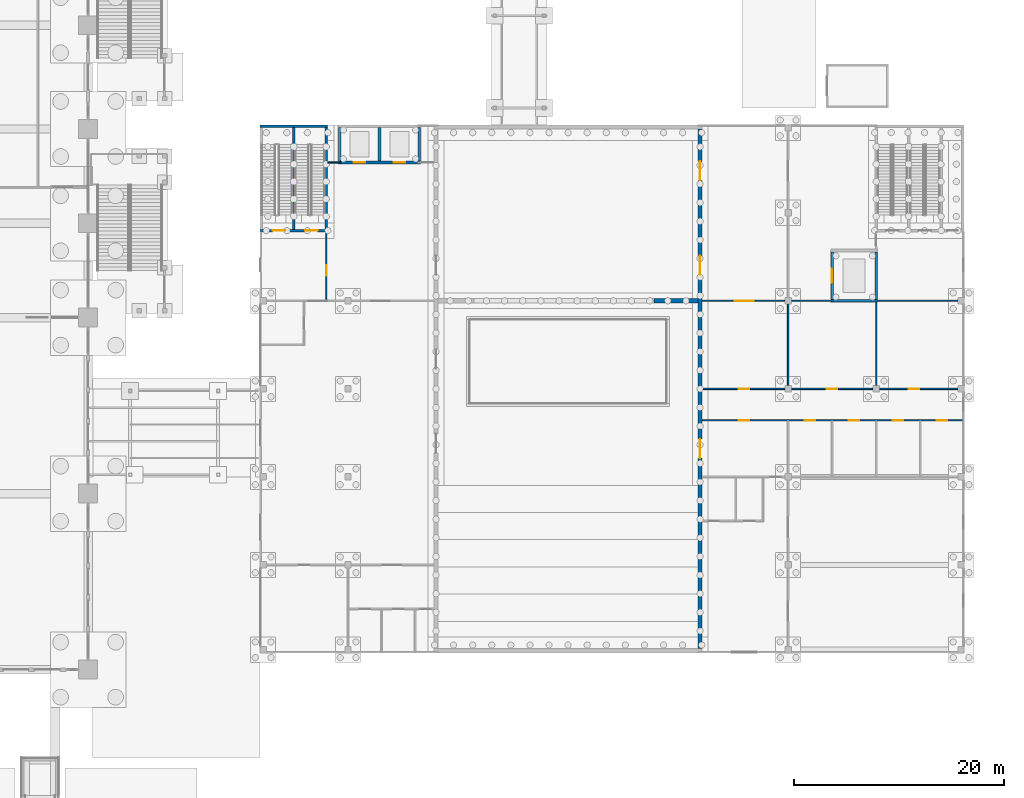
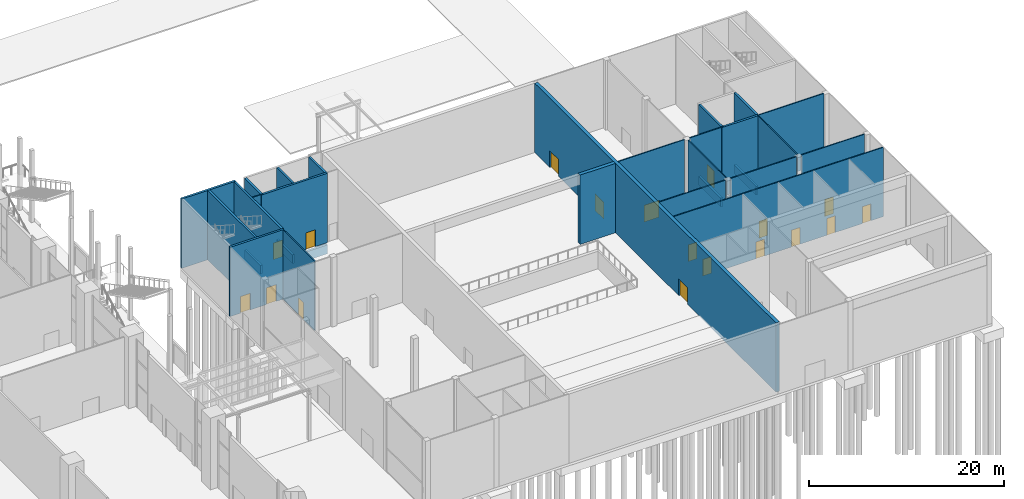
# One storey, part 47 of 72: 31 walls, 18 doors, 18 openings.
"""IFC4 building model written with IfcOpenShell, lengths in metres."""

from ifc_helpers import new_model, si_unit, direction, frame, frame_2d, origin, place, context, subcontext, project, spatial, rectangle, extrude, material, layer, layer_set, type_object, element, fill, save


model = new_model("IFC4")

# Units and contexts
model_context = context("Model", 3, precision=1e-05, world=origin(), true_north=direction((0.0, 1.0)))
body_context = subcontext(model_context, "Body", "Model", "MODEL_VIEW")
ifc_project = project(units=[si_unit("LENGTHUNIT", "METRE"), si_unit("AREAUNIT", "SQUARE_METRE"), si_unit("VOLUMEUNIT", "CUBIC_METRE"), si_unit("PLANEANGLEUNIT", "RADIAN"), si_unit("MASSUNIT", "GRAM", prefix="KILO")], contexts=[model_context])

# Site, building, storey
site_placement = place(None, origin())
site = spatial("IfcSite", under=ifc_project, at=site_placement, CompositionType="ELEMENT")
building_placement = place(site_placement, origin())
building = spatial("IfcBuilding", under=site, at=building_placement, Name="Candeia Pilgrim Tower and Theatre", CompositionType="ELEMENT")
storey_placement = place(building_placement, origin())
storey = spatial("IfcBuildingStorey", under=building, at=storey_placement, Name="L00", CompositionType="ELEMENT", Elevation=0.0)

# Wall, openings, doors
ifc_material_1 = material(Name="Gypsum board on steel studs", Category="steel")
ifc_layer_1 = layer(ifc_material_1, 0.125)
ifc_layer_set_1 = layer_set([ifc_layer_1], Name="Partition 125")
wall_type_1 = type_object("IfcWallType", Name="Partition 125", PredefinedType="PARTITIONING", material=ifc_layer_set_1)
wall_1_placement = place(storey_placement, frame((218.199951171875, 88.199951171875, 0.0), z_axis=(0.0, 0.0, 1.0), x_axis=(1.0, 0.0, 0.0)))
wall_1 = element("IfcWall", 1, at=wall_1_placement, inside=storey, type_object=wall_type_1, Name="T-L00-W012", PredefinedType="PARTITIONING", context=body_context, shape_type="SweptSolid", body=[
    extrude(rectangle(XDim=24.875, YDim=0.125, at=frame_2d((12.4375, 0.0))), origin(), (0.0, 0.0, 1.0), 8.699951171875),
])
opening_1_placement = place(wall_1_placement, frame((3.5, 0.0, 0.0)))
opening_1 = element("IfcOpeningElement", 2, at=opening_1_placement, cuts=wall_1, Name="Opening TD-L00-036", PredefinedType="OPENING", context=body_context, shape_type="SweptSolid", body=[
    extrude(rectangle(XDim=1.0, YDim=2.10009765625, at=frame_2d((0.5, 1.050048828125))), frame((0.0, 0.072509765625, 0.0), z_axis=(0.0, -1.0, 0.0), x_axis=(1.0, 0.0, 0.0)), (0.0, 0.0, 1.0), 0.14501953125),
])
opening_2_placement = place(wall_1_placement, frame((9.800048828125, 0.0, 0.0)))
opening_2 = element("IfcOpeningElement", 3, at=opening_2_placement, cuts=wall_1, Name="Opening TD-L00-037", PredefinedType="OPENING", context=body_context, shape_type="SweptSolid", body=[
    extrude(rectangle(XDim=1.0, YDim=2.10009765625, at=frame_2d((0.5, 1.050048828125))), frame((0.0, 0.072509765625, 0.0), z_axis=(0.0, -1.0, 0.0), x_axis=(1.0, 0.0, 0.0)), (0.0, 0.0, 1.0), 0.14501953125),
])
opening_3_placement = place(wall_1_placement, frame((14.0, 0.0, 0.0)))
opening_3 = element("IfcOpeningElement", 4, at=opening_3_placement, cuts=wall_1, Name="Opening TD-L00-038", PredefinedType="OPENING", context=body_context, shape_type="SweptSolid", body=[
    extrude(rectangle(XDim=1.0, YDim=2.10009765625, at=frame_2d((0.5, 1.050048828125))), frame((0.0, 0.072509765625, 0.0), z_axis=(0.0, -1.0, 0.0), x_axis=(1.0, 0.0, 0.0)), (0.0, 0.0, 1.0), 0.14501953125),
])
opening_4_placement = place(wall_1_placement, frame((18.199951171875, 0.0, 0.0)))
opening_4 = element("IfcOpeningElement", 5, at=opening_4_placement, cuts=wall_1, Name="Opening TD-L00-039", PredefinedType="OPENING", context=body_context, shape_type="SweptSolid", body=[
    extrude(rectangle(XDim=1.0, YDim=2.10009765625, at=frame_2d((0.5, 1.050048828125))), frame((0.0, 0.072509765625, 0.0), z_axis=(0.0, -1.0, 0.0), x_axis=(1.0, 0.0, 0.0)), (0.0, 0.0, 1.0), 0.14501953125),
])
opening_5_placement = place(wall_1_placement, frame((22.39990234375, 0.0, 0.0)))
opening_5 = element("IfcOpeningElement", 6, at=opening_5_placement, cuts=wall_1, Name="Opening TD-L00-040", PredefinedType="OPENING", context=body_context, shape_type="SweptSolid", body=[
    extrude(rectangle(XDim=1.0, YDim=2.10009765625, at=frame_2d((0.5, 1.050048828125))), frame((0.0, 0.072509765625, 0.0), z_axis=(0.0, -1.0, 0.0), x_axis=(1.0, 0.0, 0.0)), (0.0, 0.0, 1.0), 0.14501953125),
])
ifc_material_2 = material(Name="Timber door leaf", Category="wood")
door_type_1 = type_object("IfcDoorType", Name="Door single 1000x2100", OperationType="NOTDEFINED", PredefinedType="DOOR", material=ifc_material_2)
door_1_placement = place(opening_1_placement, origin())
door_1 = element("IfcDoor", 7, at=door_1_placement, inside=storey, type_object=door_type_1, Name="Door TD-L00-036", OperationType="SINGLE_SWING_RIGHT", OverallHeight=2.10009765625, OverallWidth=1.0, PredefinedType="DOOR", context=body_context, shape_type="SweptSolid", body=[
    extrude(rectangle(XDim=1.0, YDim=2.10009765625, at=frame_2d((0.5, 1.050048828125))), frame((0.0, 0.02490234375, 0.0), z_axis=(0.0, -1.0, 0.0), x_axis=(1.0, 0.0, 0.0)), (0.0, 0.0, 1.0), 0.050048828125),
])
fill(opening_1, door_1)
door_2_placement = place(opening_2_placement, origin())
door_2 = element("IfcDoor", 8, at=door_2_placement, inside=storey, type_object=door_type_1, Name="Door TD-L00-037", OperationType="SINGLE_SWING_LEFT", OverallHeight=2.10009765625, OverallWidth=1.0, PredefinedType="DOOR", context=body_context, shape_type="SweptSolid", body=[
    extrude(rectangle(XDim=1.0, YDim=2.10009765625, at=frame_2d((0.5, 1.050048828125))), frame((0.0, 0.02490234375, 0.0), z_axis=(0.0, -1.0, 0.0), x_axis=(1.0, 0.0, 0.0)), (0.0, 0.0, 1.0), 0.050048828125),
])
fill(opening_2, door_2)
door_3_placement = place(opening_3_placement, origin())
door_3 = element("IfcDoor", 9, at=door_3_placement, inside=storey, type_object=door_type_1, Name="Door TD-L00-038", OperationType="SINGLE_SWING_RIGHT", OverallHeight=2.10009765625, OverallWidth=1.0, PredefinedType="DOOR", context=body_context, shape_type="SweptSolid", body=[
    extrude(rectangle(XDim=1.0, YDim=2.10009765625, at=frame_2d((0.5, 1.050048828125))), frame((0.0, 0.02490234375, 0.0), z_axis=(0.0, -1.0, 0.0), x_axis=(1.0, 0.0, 0.0)), (0.0, 0.0, 1.0), 0.050048828125),
])
fill(opening_3, door_3)
door_4_placement = place(opening_4_placement, origin())
door_4 = element("IfcDoor", 10, at=door_4_placement, inside=storey, type_object=door_type_1, Name="Door TD-L00-039", OperationType="SINGLE_SWING_LEFT", OverallHeight=2.10009765625, OverallWidth=1.0, PredefinedType="DOOR", context=body_context, shape_type="SweptSolid", body=[
    extrude(rectangle(XDim=1.0, YDim=2.10009765625, at=frame_2d((0.5, 1.050048828125))), frame((0.0, 0.02490234375, 0.0), z_axis=(0.0, -1.0, 0.0), x_axis=(1.0, 0.0, 0.0)), (0.0, 0.0, 1.0), 0.050048828125),
])
fill(opening_4, door_4)
door_5_placement = place(opening_5_placement, origin())
door_5 = element("IfcDoor", 11, at=door_5_placement, inside=storey, type_object=door_type_1, Name="Door TD-L00-040", OperationType="SINGLE_SWING_RIGHT", OverallHeight=2.10009765625, OverallWidth=1.0, PredefinedType="DOOR", context=body_context, shape_type="SweptSolid", body=[
    extrude(rectangle(XDim=1.0, YDim=2.10009765625, at=frame_2d((0.5, 1.050048828125))), frame((0.0, 0.02490234375, 0.0), z_axis=(0.0, -1.0, 0.0), x_axis=(1.0, 0.0, 0.0)), (0.0, 0.0, 1.0), 0.050048828125),
])
fill(opening_5, door_5)

# Wall, opening, door
wall_2_placement = place(storey_placement, frame((218.199951171875, 91.199951171875, 0.0), z_axis=(0.0, 0.0, 1.0), x_axis=(1.0, 0.0, 0.0)))
wall_2 = element("IfcWall", 12, at=wall_2_placement, inside=storey, type_object=wall_type_1, Name="T-L00-W013", PredefinedType="PARTITIONING", context=body_context, shape_type="SweptSolid", body=[
    extrude(rectangle(XDim=7.900146484375, YDim=0.125, at=frame_2d((3.9501953125, 0.0))), origin(), (0.0, 0.0, 1.0), 8.699951171875),
])
opening_6_placement = place(wall_2_placement, frame((3.5, 0.0, 0.0)))
opening_6 = element("IfcOpeningElement", 13, at=opening_6_placement, cuts=wall_2, Name="Opening TD-L00-041", PredefinedType="OPENING", context=body_context, shape_type="SweptSolid", body=[
    extrude(rectangle(XDim=1.0, YDim=2.10009765625, at=frame_2d((0.5, 1.050048828125))), frame((0.0, 0.072509765625, 0.0), z_axis=(0.0, -1.0, 0.0), x_axis=(1.0, 0.0, 0.0)), (0.0, 0.0, 1.0), 0.14501953125),
])
door_6_placement = place(opening_6_placement, origin())
door_6 = element("IfcDoor", 14, at=door_6_placement, inside=storey, type_object=door_type_1, Name="Door TD-L00-041", OperationType="SINGLE_SWING_LEFT", OverallHeight=2.10009765625, OverallWidth=1.0, PredefinedType="DOOR", context=body_context, shape_type="SweptSolid", body=[
    extrude(rectangle(XDim=1.0, YDim=2.10009765625, at=frame_2d((0.5, 1.050048828125))), frame((0.0, 0.02490234375, 0.0), z_axis=(0.0, -1.0, 0.0), x_axis=(1.0, 0.0, 0.0)), (0.0, 0.0, 1.0), 0.050048828125),
])
fill(opening_6, door_6)

wall_3_placement = place(storey_placement, frame((226.699951171875, 91.199951171875, 0.0), z_axis=(0.0, 0.0, 1.0), x_axis=(1.0, 0.0, 0.0)))
wall_3 = element("IfcWall", 15, at=wall_3_placement, inside=storey, type_object=wall_type_1, Name="T-L00-W014", PredefinedType="PARTITIONING", context=body_context, shape_type="SweptSolid", body=[
    extrude(rectangle(XDim=7.800048828125, YDim=0.125, at=frame_2d((3.89990234375, 0.0))), origin(), (0.0, 0.0, 1.0), 8.699951171875),
])
opening_7_placement = place(wall_3_placement, frame((3.39990234375, 0.0, 0.0)))
opening_7 = element("IfcOpeningElement", 16, at=opening_7_placement, cuts=wall_3, Name="Opening TD-L00-042", PredefinedType="OPENING", context=body_context, shape_type="SweptSolid", body=[
    extrude(rectangle(XDim=1.0, YDim=2.10009765625, at=frame_2d((0.5, 1.050048828125))), frame((0.0, 0.072509765625, 0.0), z_axis=(0.0, -1.0, 0.0), x_axis=(1.0, 0.0, 0.0)), (0.0, 0.0, 1.0), 0.14501953125),
])
door_7_placement = place(opening_7_placement, origin())
door_7 = element("IfcDoor", 17, at=door_7_placement, inside=storey, type_object=door_type_1, Name="Door TD-L00-042", OperationType="SINGLE_SWING_RIGHT", OverallHeight=2.10009765625, OverallWidth=1.0, PredefinedType="DOOR", context=body_context, shape_type="SweptSolid", body=[
    extrude(rectangle(XDim=1.0, YDim=2.10009765625, at=frame_2d((0.5, 1.050048828125))), frame((0.0, 0.02490234375, 0.0), z_axis=(0.0, -1.0, 0.0), x_axis=(1.0, 0.0, 0.0)), (0.0, 0.0, 1.0), 0.050048828125),
])
fill(opening_7, door_7)

wall_4_placement = place(storey_placement, frame((235.10009765625, 91.199951171875, 0.0), z_axis=(0.0, 0.0, 1.0), x_axis=(1.0, 0.0, 0.0)))
wall_4 = element("IfcWall", 18, at=wall_4_placement, inside=storey, type_object=wall_type_1, Name="T-L00-W015", PredefinedType="PARTITIONING", context=body_context, shape_type="SweptSolid", body=[
    extrude(rectangle(XDim=7.5, YDim=0.125, at=frame_2d((3.75, 0.0))), origin(), (0.0, 0.0, 1.0), 8.699951171875),
])
opening_8_placement = place(wall_4_placement, frame((2.800048828125, 0.0, 0.0)))
opening_8 = element("IfcOpeningElement", 19, at=opening_8_placement, cuts=wall_4, Name="Opening TD-L00-043", PredefinedType="OPENING", context=body_context, shape_type="SweptSolid", body=[
    extrude(rectangle(XDim=1.0, YDim=2.10009765625, at=frame_2d((0.5, 1.050048828125))), frame((0.0, 0.072509765625, 0.0), z_axis=(0.0, -1.0, 0.0), x_axis=(1.0, 0.0, 0.0)), (0.0, 0.0, 1.0), 0.14501953125),
])
door_8_placement = place(opening_8_placement, origin())
door_8 = element("IfcDoor", 20, at=door_8_placement, inside=storey, type_object=door_type_1, Name="Door TD-L00-043", OperationType="SINGLE_SWING_LEFT", OverallHeight=2.10009765625, OverallWidth=1.0, PredefinedType="DOOR", context=body_context, shape_type="SweptSolid", body=[
    extrude(rectangle(XDim=1.0, YDim=2.10009765625, at=frame_2d((0.5, 1.050048828125))), frame((0.0, 0.02490234375, 0.0), z_axis=(0.0, -1.0, 0.0), x_axis=(1.0, 0.0, 0.0)), (0.0, 0.0, 1.0), 0.050048828125),
])
fill(opening_8, door_8)

wall_5_placement = place(storey_placement, frame((218.199951171875, 99.60009765625, 0.0), z_axis=(0.0, 0.0, 1.0), x_axis=(1.0, 0.0, 0.0)))
wall_5 = element("IfcWall", 21, at=wall_5_placement, inside=storey, type_object=wall_type_1, Name="T-L00-W021", PredefinedType="PARTITIONING", context=body_context, shape_type="SweptSolid", body=[
    extrude(rectangle(XDim=7.900146484375, YDim=0.125, at=frame_2d((3.9501953125, 0.0))), origin(), (0.0, 0.0, 1.0), 8.699951171875),
])
opening_9_placement = place(wall_5_placement, frame((3.10009765625, 0.0, 0.0)))
opening_9 = element("IfcOpeningElement", 22, at=opening_9_placement, cuts=wall_5, Name="Opening TD-L00-045", PredefinedType="OPENING", context=body_context, shape_type="SweptSolid", body=[
    extrude(rectangle(XDim=1.800048828125, YDim=2.10009765625, at=frame_2d((0.89990234375, 1.050048828125))), frame((0.0, 0.072509765625, 0.0), z_axis=(0.0, -1.0, 0.0), x_axis=(1.0, 0.0, 0.0)), (0.0, 0.0, 1.0), 0.14501953125),
])
door_type_2 = type_object("IfcDoorType", Name="Door double 1800x2100", OperationType="DOUBLE_DOOR_SINGLE_SWING", PredefinedType="DOOR", material=ifc_material_2)
door_9_placement = place(opening_9_placement, origin())
door_9 = element("IfcDoor", 23, at=door_9_placement, inside=storey, type_object=door_type_2, Name="Door TD-L00-045", OperationType="DOUBLE_DOOR_SINGLE_SWING", OverallHeight=2.10009765625, OverallWidth=1.800048828125, PredefinedType="DOOR", context=body_context, shape_type="SweptSolid", body=[
    extrude(rectangle(XDim=1.800048828125, YDim=2.10009765625, at=frame_2d((0.89990234375, 1.050048828125))), frame((0.0, 0.02490234375, 0.0), z_axis=(0.0, -1.0, 0.0), x_axis=(1.0, 0.0, 0.0)), (0.0, 0.0, 1.0), 0.050048828125),
])
fill(opening_9, door_9)

# Walls
wall_6_placement = place(storey_placement, frame((226.699951171875, 99.60009765625, 0.0), z_axis=(0.0, 0.0, 1.0), x_axis=(1.0, 0.0, 0.0)))
element("IfcWall", 24, at=wall_6_placement, inside=storey, type_object=wall_type_1, Name="T-L00-W022", PredefinedType="PARTITIONING", context=body_context, shape_type="SweptSolid", body=[
    extrude(rectangle(XDim=4.025146484375, YDim=0.125, at=frame_2d((2.0126953125, 0.0))), origin(), (0.0, 0.0, 1.0), 8.699951171875),
])
wall_7_placement = place(storey_placement, frame((234.737548828125, 99.60009765625, 0.0), z_axis=(0.0, 0.0, 1.0), x_axis=(1.0, 0.0, 0.0)))
element("IfcWall", 25, at=wall_7_placement, inside=storey, type_object=wall_type_1, Name="T-L00-W024", PredefinedType="PARTITIONING", context=body_context, shape_type="SweptSolid", body=[
    extrude(rectangle(XDim=7.862548828125, YDim=0.125, at=frame_2d((3.93115234375, 0.0))), origin(), (0.0, 0.0, 1.0), 8.699951171875),
])
wall_8_placement = place(storey_placement, frame((182.449951171875, 112.800048828125, 0.0), z_axis=(0.0, 0.0, 1.0), x_axis=(1.0, 0.0, 0.0)))
element("IfcWall", 26, at=wall_8_placement, inside=storey, type_object=wall_type_1, Name="T-L00-W028", PredefinedType="PARTITIONING", context=body_context, shape_type="SweptSolid", body=[
    extrude(rectangle(XDim=1.275146484375, YDim=0.125, at=frame_2d((0.6376953125, 0.0))), origin(), (0.0, 0.0, 1.0), 8.699951171875),
])

# Wall, opening, door
wall_9_placement = place(storey_placement, frame((182.324951171875, 99.66259765625, 0.0), z_axis=(0.0, 0.0, 1.0), x_axis=(0.0, 1.0, 0.0)))
wall_9 = element("IfcWall", 27, at=wall_9_placement, inside=storey, type_object=wall_type_1, Name="T-L00-W044", PredefinedType="PARTITIONING", context=body_context, shape_type="SweptSolid", body=[
    extrude(rectangle(XDim=6.512451171875, YDim=0.125, at=frame_2d((3.25634765625, 0.0))), origin(), (0.0, 0.0, 1.0), 8.699951171875),
])
opening_10_placement = place(wall_9_placement, frame((2.33740234375, 0.0, 0.0)))
opening_10 = element("IfcOpeningElement", 28, at=opening_10_placement, cuts=wall_9, Name="Opening TD-L00-003", PredefinedType="OPENING", context=body_context, shape_type="SweptSolid", body=[
    extrude(rectangle(XDim=1.0, YDim=2.10009765625, at=frame_2d((0.5, 1.050048828125))), frame((0.0, 0.072509765625, 0.0), z_axis=(0.0, -1.0, 0.0), x_axis=(1.0, 0.0, 0.0)), (0.0, 0.0, 1.0), 0.14501953125),
])
ifc_material_3 = material(Name="Steel fire door leaf", Category="steel")
door_type_3 = type_object("IfcDoorType", Name="Door fire single 1000x2100", OperationType="NOTDEFINED", PredefinedType="DOOR", material=ifc_material_3)
door_10_placement = place(opening_10_placement, origin())
door_10 = element("IfcDoor", 29, at=door_10_placement, inside=storey, type_object=door_type_3, Name="Door TD-L00-003", OperationType="SINGLE_SWING_LEFT", OverallHeight=2.10009765625, OverallWidth=1.0, PredefinedType="DOOR", context=body_context, shape_type="SweptSolid", body=[
    extrude(rectangle(XDim=1.0, YDim=2.10009765625, at=frame_2d((0.5, 1.050048828125))), frame((0.0, 0.02490234375, 0.0), z_axis=(0.0, -1.0, 0.0), x_axis=(1.0, 0.0, 0.0)), (0.0, 0.0, 1.0), 0.050048828125),
])
fill(opening_10, door_10)

# Walls
wall_10_placement = place(storey_placement, frame((226.39990234375, 91.5, 0.0), z_axis=(0.0, 0.0, 1.0), x_axis=(0.0, 1.0, 0.0)))
element("IfcWall", 30, at=wall_10_placement, inside=storey, type_object=wall_type_1, Name="T-L00-W059", PredefinedType="PARTITIONING", context=body_context, shape_type="SweptSolid", body=[
    extrude(rectangle(XDim=7.800048828125, YDim=0.125, at=frame_2d((3.89990234375, 0.0))), origin(), (0.0, 0.0, 1.0), 8.699951171875),
])
wall_11_placement = place(storey_placement, frame((234.800048828125, 91.5, 0.0), z_axis=(0.0, 0.0, 1.0), x_axis=(0.0, 1.0, 0.0)))
element("IfcWall", 31, at=wall_11_placement, inside=storey, type_object=wall_type_1, Name="T-L00-W065", PredefinedType="PARTITIONING", context=body_context, shape_type="SweptSolid", body=[
    extrude(rectangle(XDim=7.97509765625, YDim=0.125, at=frame_2d((3.987548828125, 0.0))), origin(), (0.0, 0.0, 1.0), 8.699951171875),
])
ifc_material_4 = material(Name="Concrete C35/45", Category="concrete")
ifc_layer_2 = layer(ifc_material_4, 0.25)
ifc_layer_set_2 = layer_set([ifc_layer_2], Name="RC wall 250 C35/45")
wall_type_2 = type_object("IfcWallType", Name="RC wall 250 C35/45", PredefinedType="SOLIDWALL", material=ifc_layer_set_2)
wall_12_placement = place(storey_placement, frame((230.47509765625, 99.60009765625, 0.0), z_axis=(0.0, 0.0, 1.0), x_axis=(1.0, 0.0, 0.0)))
element("IfcWall", 32, at=wall_12_placement, inside=storey, type_object=wall_type_2, Name="T-L00-W023", PredefinedType="SOLIDWALL", context=body_context, shape_type="SweptSolid", body=[
    extrude(rectangle(XDim=4.387451171875, YDim=0.25, at=frame_2d((2.19384765625, 0.0))), origin(), (0.0, 0.0, 1.0), 8.699951171875),
])

# Wall, openings, doors
wall_13_placement = place(storey_placement, frame((176.0, 106.300048828125, 0.0), z_axis=(0.0, 0.0, 1.0), x_axis=(1.0, 0.0, 0.0)))
wall_13 = element("IfcWall", 33, at=wall_13_placement, inside=storey, type_object=wall_type_2, Name="T-L00-W026", PredefinedType="SOLIDWALL", context=body_context, shape_type="SweptSolid", body=[
    extrude(rectangle(XDim=6.387451171875, YDim=0.25, at=frame_2d((3.19384765625, 0.0))), origin(), (0.0, 0.0, 1.0), 8.699951171875),
])
opening_11_placement = place(wall_13_placement, frame((1.199951171875, 0.0, 0.0)))
opening_11 = element("IfcOpeningElement", 34, at=opening_11_placement, cuts=wall_13, Name="Opening TD-L00-001", PredefinedType="OPENING", context=body_context, shape_type="SweptSolid", body=[
    extrude(rectangle(XDim=1.199951171875, YDim=2.10009765625, at=frame_2d((0.60009765625, 1.050048828125))), frame((0.0, 0.135009765625, 0.0), z_axis=(0.0, -1.0, 0.0), x_axis=(1.0, 0.0, 0.0)), (0.0, 0.0, 1.0), 0.27001953125),
])
opening_12_placement = place(wall_13_placement, frame((4.300048828125, 0.0, 0.0)))
opening_12 = element("IfcOpeningElement", 35, at=opening_12_placement, cuts=wall_13, Name="Opening TD-L00-002", PredefinedType="OPENING", context=body_context, shape_type="SweptSolid", body=[
    extrude(rectangle(XDim=1.199951171875, YDim=2.10009765625, at=frame_2d((0.60009765625, 1.050048828125))), frame((0.0, 0.135009765625, 0.0), z_axis=(0.0, -1.0, 0.0), x_axis=(1.0, 0.0, 0.0)), (0.0, 0.0, 1.0), 0.27001953125),
])
door_type_4 = type_object("IfcDoorType", Name="Door exit single 1200x2100", OperationType="NOTDEFINED", PredefinedType="DOOR", material=ifc_material_3)
door_11_placement = place(opening_11_placement, origin())
door_11 = element("IfcDoor", 36, at=door_11_placement, inside=storey, type_object=door_type_4, Name="Door TD-L00-001", OperationType="SINGLE_SWING_LEFT", OverallHeight=2.10009765625, OverallWidth=1.199951171875, PredefinedType="DOOR", context=body_context, shape_type="SweptSolid", body=[
    extrude(rectangle(XDim=1.199951171875, YDim=2.10009765625, at=frame_2d((0.60009765625, 1.050048828125))), frame((0.0, 0.02490234375, 0.0), z_axis=(0.0, -1.0, 0.0), x_axis=(1.0, 0.0, 0.0)), (0.0, 0.0, 1.0), 0.050048828125),
])
fill(opening_11, door_11)
door_12_placement = place(opening_12_placement, origin())
door_12 = element("IfcDoor", 37, at=door_12_placement, inside=storey, type_object=door_type_4, Name="Door TD-L00-002", OperationType="SINGLE_SWING_RIGHT", OverallHeight=2.10009765625, OverallWidth=1.199951171875, PredefinedType="DOOR", context=body_context, shape_type="SweptSolid", body=[
    extrude(rectangle(XDim=1.199951171875, YDim=2.10009765625, at=frame_2d((0.60009765625, 1.050048828125))), frame((0.0, 0.02490234375, 0.0), z_axis=(0.0, -1.0, 0.0), x_axis=(1.0, 0.0, 0.0)), (0.0, 0.0, 1.0), 0.050048828125),
])
fill(opening_12, door_12)

wall_14_placement = place(storey_placement, frame((183.47509765625, 112.800048828125, 0.0), z_axis=(0.0, 0.0, 1.0), x_axis=(1.0, 0.0, 0.0)))
wall_14 = element("IfcWall", 38, at=wall_14_placement, inside=storey, type_object=wall_type_2, Name="T-L00-W029", PredefinedType="SOLIDWALL", context=body_context, shape_type="SweptSolid", body=[
    extrude(rectangle(XDim=7.849853515625, YDim=0.25, at=frame_2d((3.9248046875, 0.0))), origin(), (0.0, 0.0, 1.0), 8.699951171875),
])
opening_13_placement = place(wall_14_placement, frame((1.47509765625, 0.0, 0.0)))
opening_13 = element("IfcOpeningElement", 39, at=opening_13_placement, cuts=wall_14, Name="Opening TD-L00-004", PredefinedType="OPENING", context=body_context, shape_type="SweptSolid", body=[
    extrude(rectangle(XDim=1.10009765625, YDim=2.10009765625, at=frame_2d((0.550048828125, 1.050048828125))), frame((0.0, 0.135009765625, 0.0), z_axis=(0.0, -1.0, 0.0), x_axis=(1.0, 0.0, 0.0)), (0.0, 0.0, 1.0), 0.27001953125),
])
opening_14_placement = place(wall_14_placement, frame((5.27490234375, 0.0, 0.0)))
opening_14 = element("IfcOpeningElement", 40, at=opening_14_placement, cuts=wall_14, Name="Opening TD-L00-005", PredefinedType="OPENING", context=body_context, shape_type="SweptSolid", body=[
    extrude(rectangle(XDim=1.10009765625, YDim=2.10009765625, at=frame_2d((0.550048828125, 1.050048828125))), frame((0.0, 0.135009765625, 0.0), z_axis=(0.0, -1.0, 0.0), x_axis=(1.0, 0.0, 0.0)), (0.0, 0.0, 1.0), 0.27001953125),
])
ifc_material_5 = material(Name="Stainless steel landing door", Category="steel")
door_type_5 = type_object("IfcDoorType", Name="Door lift landing 1100x2100", OperationType="DOUBLE_DOOR_SLIDING", PredefinedType="DOOR", material=ifc_material_5)
door_13_placement = place(opening_13_placement, origin())
door_13 = element("IfcDoor", 41, at=door_13_placement, inside=storey, type_object=door_type_5, Name="Door TD-L00-004", OperationType="DOUBLE_DOOR_SLIDING", OverallHeight=2.10009765625, OverallWidth=1.10009765625, PredefinedType="DOOR", context=body_context, shape_type="SweptSolid", body=[
    extrude(rectangle(XDim=1.10009765625, YDim=2.10009765625, at=frame_2d((0.550048828125, 1.050048828125))), frame((0.0, 0.02490234375, 0.0), z_axis=(0.0, -1.0, 0.0), x_axis=(1.0, 0.0, 0.0)), (0.0, 0.0, 1.0), 0.050048828125),
])
fill(opening_13, door_13)
door_14_placement = place(opening_14_placement, origin())
door_14 = element("IfcDoor", 42, at=door_14_placement, inside=storey, type_object=door_type_5, Name="Door TD-L00-005", OperationType="DOUBLE_DOOR_SLIDING", OverallHeight=2.10009765625, OverallWidth=1.10009765625, PredefinedType="DOOR", context=body_context, shape_type="SweptSolid", body=[
    extrude(rectangle(XDim=1.10009765625, YDim=2.10009765625, at=frame_2d((0.550048828125, 1.050048828125))), frame((0.0, 0.02490234375, 0.0), z_axis=(0.0, -1.0, 0.0), x_axis=(1.0, 0.0, 0.0)), (0.0, 0.0, 1.0), 0.050048828125),
])
fill(opening_14, door_14)

# Walls
wall_15_placement = place(storey_placement, frame((176.0, 116.27490234375, 0.0), z_axis=(0.0, 0.0, 1.0), x_axis=(1.0, 0.0, 0.0)))
element("IfcWall", 43, at=wall_15_placement, inside=storey, type_object=wall_type_2, Name="T-L00-W032", PredefinedType="SOLIDWALL", context=body_context, shape_type="SweptSolid", body=[
    extrude(rectangle(XDim=6.449951171875, YDim=0.25, at=frame_2d((3.22509765625, 0.0))), origin(), (0.0, 0.0, 1.0), 8.699951171875),
])
for number, where, z_axis, x_axis, name in (
    (44, (179.22509765625, 106.425048828125, 0.0), (0.0, 0.0, 1.0), (0.0, 1.0, 0.0), "T-L00-W042"),
    (45, (182.324951171875, 106.425048828125, 0.0), (0.0, 0.0, 1.0), (0.0, 1.0, 0.0), "T-L00-W045"),
):
    element("IfcWall", number, at=place(storey_placement, frame(where, z_axis=z_axis, x_axis=x_axis)), inside=storey, type_object=wall_type_2, Name=name, PredefinedType="SOLIDWALL", context=body_context, shape_type="SweptSolid", body=[
        extrude(rectangle(XDim=9.724853515625, YDim=0.25, at=frame_2d((4.8623046875, 0.0))), origin(), (0.0, 0.0, 1.0), 8.699951171875),
    ])
wall_16_placement = place(storey_placement, frame((183.60009765625, 112.862548828125, 0.0), z_axis=(0.0, 0.0, 1.0), x_axis=(0.0, 1.0, 0.0)))
element("IfcWall", 46, at=wall_16_placement, inside=storey, type_object=wall_type_2, Name="T-L00-W046", PredefinedType="SOLIDWALL", context=body_context, shape_type="SweptSolid", body=[
    extrude(rectangle(XDim=3.287353515625, YDim=0.25, at=frame_2d((1.6435546875, 0.0))), origin(), (0.0, 0.0, 1.0), 8.699951171875),
])
for number, where, z_axis, x_axis, name in (
    (47, (187.39990234375, 112.925048828125, 0.0), (0.0, 0.0, 1.0), (0.0, 1.0, 0.0), "T-L00-W048"),
    (48, (191.199951171875, 112.925048828125, 0.0), (0.0, 0.0, 1.0), (0.0, 1.0, 0.0), "T-L00-W051"),
):
    element("IfcWall", number, at=place(storey_placement, frame(where, z_axis=z_axis, x_axis=x_axis)), inside=storey, type_object=wall_type_2, Name=name, PredefinedType="SOLIDWALL", context=body_context, shape_type="SweptSolid", body=[
        extrude(rectangle(XDim=3.224853515625, YDim=0.25, at=frame_2d((1.6123046875, 0.0))), origin(), (0.0, 0.0, 1.0), 8.699951171875),
    ])

# Wall, opening, door
wall_17_placement = place(storey_placement, frame((230.60009765625, 99.66259765625, 0.0), z_axis=(0.0, 0.0, 1.0), x_axis=(0.0, 1.0, 0.0)))
wall_17 = element("IfcWall", 49, at=wall_17_placement, inside=storey, type_object=wall_type_2, Name="T-L00-W063", PredefinedType="SOLIDWALL", context=body_context, shape_type="SweptSolid", body=[
    extrude(rectangle(XDim=4.6123046875, YDim=0.25, at=frame_2d((2.30615234375, 0.0))), origin(), (0.0, 0.0, 1.0), 8.699951171875),
])
opening_15_placement = place(wall_17_placement, frame((1.637451171875, 0.0, 0.0)))
opening_15 = element("IfcOpeningElement", 50, at=opening_15_placement, cuts=wall_17, Name="Opening TD-L00-011", PredefinedType="OPENING", context=body_context, shape_type="SweptSolid", body=[
    extrude(rectangle(XDim=1.39990234375, YDim=2.10009765625, at=frame_2d((0.699951171875, 1.050048828125))), frame((0.0, 0.135009765625, 0.0), z_axis=(0.0, -1.0, 0.0), x_axis=(1.0, 0.0, 0.0)), (0.0, 0.0, 1.0), 0.27001953125),
])
door_type_6 = type_object("IfcDoorType", Name="Door goods lift landing 1400x2100", OperationType="DOUBLE_DOOR_SLIDING", PredefinedType="DOOR", material=ifc_material_5)
door_15_placement = place(opening_15_placement, origin())
door_15 = element("IfcDoor", 51, at=door_15_placement, inside=storey, type_object=door_type_6, Name="Door TD-L00-011", OperationType="DOUBLE_DOOR_SLIDING", OverallHeight=2.10009765625, OverallWidth=1.39990234375, PredefinedType="DOOR", context=body_context, shape_type="SweptSolid", body=[
    extrude(rectangle(XDim=1.39990234375, YDim=2.10009765625, at=frame_2d((0.699951171875, 1.050048828125))), frame((0.0, 0.02490234375, 0.0), z_axis=(0.0, -1.0, 0.0), x_axis=(1.0, 0.0, 0.0)), (0.0, 0.0, 1.0), 0.050048828125),
])
fill(opening_15, door_15)

# Walls
wall_18_placement = place(storey_placement, frame((234.800048828125, 99.72509765625, 0.0), z_axis=(0.0, 0.0, 1.0), x_axis=(0.0, 1.0, 0.0)))
element("IfcWall", 52, at=wall_18_placement, inside=storey, type_object=wall_type_2, Name="T-L00-W066", PredefinedType="SOLIDWALL", context=body_context, shape_type="SweptSolid", body=[
    extrude(rectangle(XDim=4.5498046875, YDim=0.25, at=frame_2d((2.27490234375, 0.0))), origin(), (0.0, 0.0, 1.0), 8.699951171875),
])
wall_19_placement = place(storey_placement, frame((230.47509765625, 99.60009765625, -1.39990234375), z_axis=(0.0, 0.0, 1.0), x_axis=(1.0, 0.0, 0.0)))
element("IfcWall", 53, at=wall_19_placement, inside=storey, type_object=wall_type_2, Name="Lift pit wall 1", PredefinedType="SOLIDWALL", context=body_context, shape_type="SweptSolid", body=[
    extrude(rectangle(XDim=4.449951171875, YDim=0.25, at=frame_2d((2.22509765625, 0.0))), origin(), (0.0, 0.0, 1.0), 1.099853515625),
])
wall_20_placement = place(storey_placement, frame((183.47509765625, 112.800048828125, -1.39990234375), z_axis=(0.0, 0.0, 1.0), x_axis=(1.0, 0.0, 0.0)))
element("IfcWall", 54, at=wall_20_placement, inside=storey, type_object=wall_type_2, Name="Lift pit wall 3", PredefinedType="SOLIDWALL", context=body_context, shape_type="SweptSolid", body=[
    extrude(rectangle(XDim=7.849853515625, YDim=0.25, at=frame_2d((3.9248046875, 0.0))), origin(), (0.0, 0.0, 1.0), 1.099853515625),
])
for number, where, z_axis, x_axis, name in (
    (55, (183.60009765625, 112.925048828125, -1.39990234375), (0.0, 0.0, 1.0), (0.0, 1.0, 0.0), "Lift pit wall 5"),
    (56, (187.39990234375, 112.925048828125, -1.39990234375), (0.0, 0.0, 1.0), (0.0, 1.0, 0.0), "Lift pit wall 6"),
    (57, (191.199951171875, 112.925048828125, -1.39990234375), (0.0, 0.0, 1.0), (0.0, 1.0, 0.0), "Lift pit wall 7"),
):
    element("IfcWall", number, at=place(storey_placement, frame(where, z_axis=z_axis, x_axis=x_axis)), inside=storey, type_object=wall_type_2, Name=name, PredefinedType="SOLIDWALL", context=body_context, shape_type="SweptSolid", body=[
        extrude(rectangle(XDim=3.224853515625, YDim=0.25, at=frame_2d((1.6123046875, 0.0))), origin(), (0.0, 0.0, 1.0), 1.099853515625),
    ])
for number, where, z_axis, x_axis, name in (
    (58, (230.60009765625, 99.72509765625, -1.39990234375), (0.0, 0.0, 1.0), (0.0, 1.0, 0.0), "Lift pit wall 8"),
    (59, (234.800048828125, 99.72509765625, -1.39990234375), (0.0, 0.0, 1.0), (0.0, 1.0, 0.0), "Lift pit wall 9"),
):
    element("IfcWall", number, at=place(storey_placement, frame(where, z_axis=z_axis, x_axis=x_axis)), inside=storey, type_object=wall_type_2, Name=name, PredefinedType="SOLIDWALL", context=body_context, shape_type="SweptSolid", body=[
        extrude(rectangle(XDim=4.5498046875, YDim=0.25, at=frame_2d((2.27490234375, 0.0))), origin(), (0.0, 0.0, 1.0), 1.099853515625),
    ])
ifc_material_6 = material(Name="Concrete C40/50", Category="concrete")
ifc_layer_3 = layer(ifc_material_6, 0.39990234375)
ifc_layer_set_3 = layer_set([ifc_layer_3], Name="RC wall 400 house C40/50")
wall_type_3 = type_object("IfcWallType", Name="RC wall 400 house C40/50", PredefinedType="SOLIDWALL", material=ifc_layer_set_3)
wall_21_placement = place(storey_placement, frame((213.60009765625, 99.60009765625, 0.0), z_axis=(0.0, 0.0, 1.0), x_axis=(1.0, 0.0, 0.0)))
element("IfcWall", 60, at=wall_21_placement, inside=storey, type_object=wall_type_3, Name="T-L00-W020", PredefinedType="SOLIDWALL", context=body_context, shape_type="SweptSolid", body=[
    extrude(rectangle(XDim=4.199951171875, YDim=0.39990234375, at=frame_2d((2.10009765625, 0.0))), origin(), (0.0, 0.0, 1.0), 8.699951171875),
])

# Wall, openings, doors
wall_22_placement = place(storey_placement, frame((218.0, 66.39990234375, 0.0), z_axis=(0.0, 0.0, 1.0), x_axis=(0.0, 1.0, 0.0)))
wall_22 = element("IfcWall", 61, at=wall_22_placement, inside=storey, type_object=wall_type_3, Name="T-L00-W053", PredefinedType="SOLIDWALL", context=body_context, shape_type="SweptSolid", body=[
    extrude(rectangle(XDim=49.60009765625, YDim=0.39990234375, at=frame_2d((24.800048828125, 0.0))), origin(), (0.0, 0.0, 1.0), 8.699951171875),
])
opening_16_placement = place(wall_22_placement, frame((18.199951171875, 0.0, 0.0)))
opening_16 = element("IfcOpeningElement", 62, at=opening_16_placement, cuts=wall_22, Name="Opening TD-L00-034", PredefinedType="OPENING", context=body_context, shape_type="SweptSolid", body=[
    extrude(rectangle(XDim=1.800048828125, YDim=2.10009765625, at=frame_2d((0.89990234375, 1.050048828125))), frame((0.0, 0.2099609375, 0.0), z_axis=(0.0, -1.0, 0.0), x_axis=(1.0, 0.0, 0.0)), (0.0, 0.0, 1.0), 0.419921875),
])
opening_17_placement = place(wall_22_placement, frame((35.699951171875, 0.0, 0.0)))
opening_17 = element("IfcOpeningElement", 63, at=opening_17_placement, cuts=wall_22, Name="Opening TD-L00-046", PredefinedType="OPENING", context=body_context, shape_type="SweptSolid", body=[
    extrude(rectangle(XDim=1.800048828125, YDim=2.10009765625, at=frame_2d((0.89990234375, 1.050048828125))), frame((0.0, 0.2099609375, 0.0), z_axis=(0.0, -1.0, 0.0), x_axis=(1.0, 0.0, 0.0)), (0.0, 0.0, 1.0), 0.419921875),
])
opening_18_placement = place(wall_22_placement, frame((44.699951171875, 0.0, 0.0)))
opening_18 = element("IfcOpeningElement", 64, at=opening_18_placement, cuts=wall_22, Name="Opening TD-L00-047", PredefinedType="OPENING", context=body_context, shape_type="SweptSolid", body=[
    extrude(rectangle(XDim=1.800048828125, YDim=2.10009765625, at=frame_2d((0.89990234375, 1.050048828125))), frame((0.0, 0.2099609375, 0.0), z_axis=(0.0, -1.0, 0.0), x_axis=(1.0, 0.0, 0.0)), (0.0, 0.0, 1.0), 0.419921875),
])
door_16_placement = place(opening_16_placement, origin())
door_16 = element("IfcDoor", 65, at=door_16_placement, inside=storey, type_object=door_type_2, Name="Door TD-L00-034", OperationType="DOUBLE_DOOR_SINGLE_SWING", OverallHeight=2.10009765625, OverallWidth=1.800048828125, PredefinedType="DOOR", context=body_context, shape_type="SweptSolid", body=[
    extrude(rectangle(XDim=1.800048828125, YDim=2.10009765625, at=frame_2d((0.89990234375, 1.050048828125))), frame((0.0, 0.02490234375, 0.0), z_axis=(0.0, -1.0, 0.0), x_axis=(1.0, 0.0, 0.0)), (0.0, 0.0, 1.0), 0.050048828125),
])
fill(opening_16, door_16)
door_17_placement = place(opening_17_placement, origin())
door_17 = element("IfcDoor", 66, at=door_17_placement, inside=storey, type_object=door_type_2, Name="Door TD-L00-046", OperationType="DOUBLE_DOOR_SINGLE_SWING", OverallHeight=2.10009765625, OverallWidth=1.800048828125, PredefinedType="DOOR", context=body_context, shape_type="SweptSolid", body=[
    extrude(rectangle(XDim=1.800048828125, YDim=2.10009765625, at=frame_2d((0.89990234375, 1.050048828125))), frame((0.0, 0.02490234375, 0.0), z_axis=(0.0, -1.0, 0.0), x_axis=(1.0, 0.0, 0.0)), (0.0, 0.0, 1.0), 0.050048828125),
])
fill(opening_17, door_17)
door_18_placement = place(opening_18_placement, origin())
door_18 = element("IfcDoor", 67, at=door_18_placement, inside=storey, type_object=door_type_2, Name="Door TD-L00-047", OperationType="DOUBLE_DOOR_SINGLE_SWING", OverallHeight=2.10009765625, OverallWidth=1.800048828125, PredefinedType="DOOR", context=body_context, shape_type="SweptSolid", body=[
    extrude(rectangle(XDim=1.800048828125, YDim=2.10009765625, at=frame_2d((0.89990234375, 1.050048828125))), frame((0.0, 0.02490234375, 0.0), z_axis=(0.0, -1.0, 0.0), x_axis=(1.0, 0.0, 0.0)), (0.0, 0.0, 1.0), 0.050048828125),
])
fill(opening_18, door_18)

save(model, "model.ifc")
